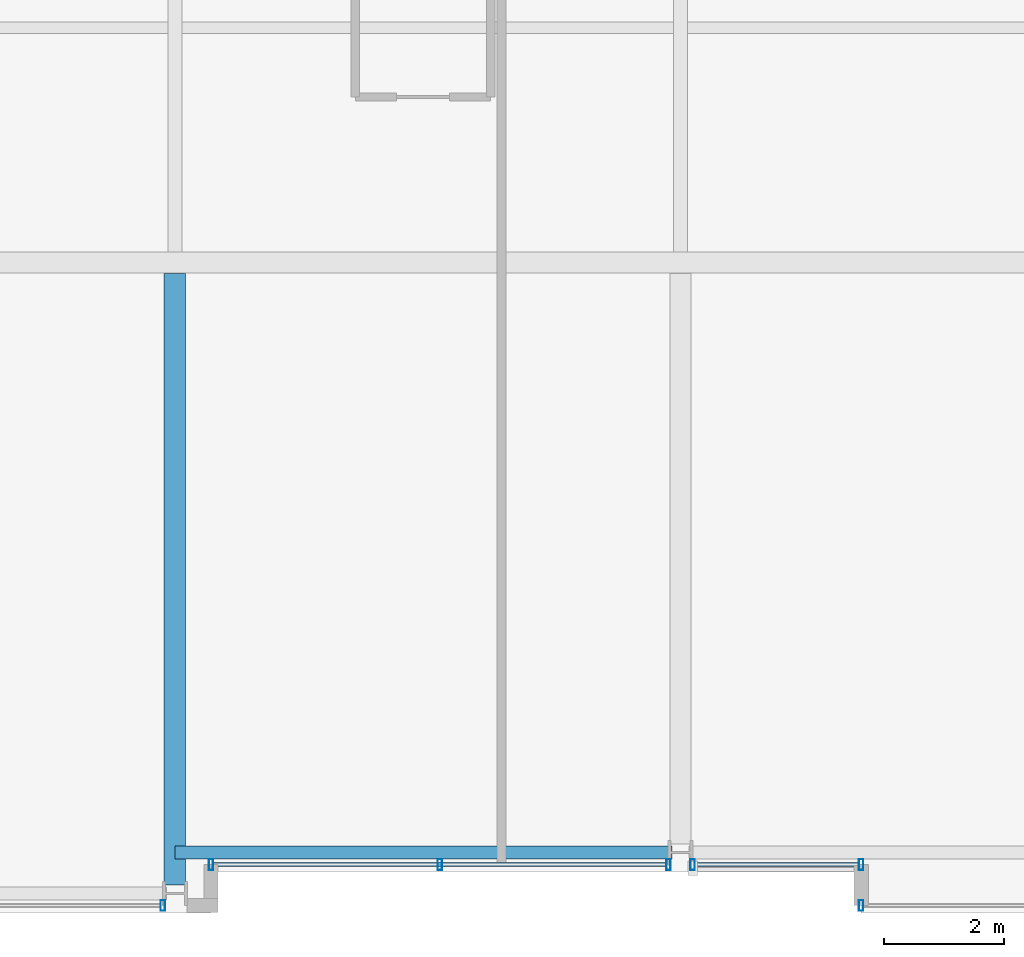
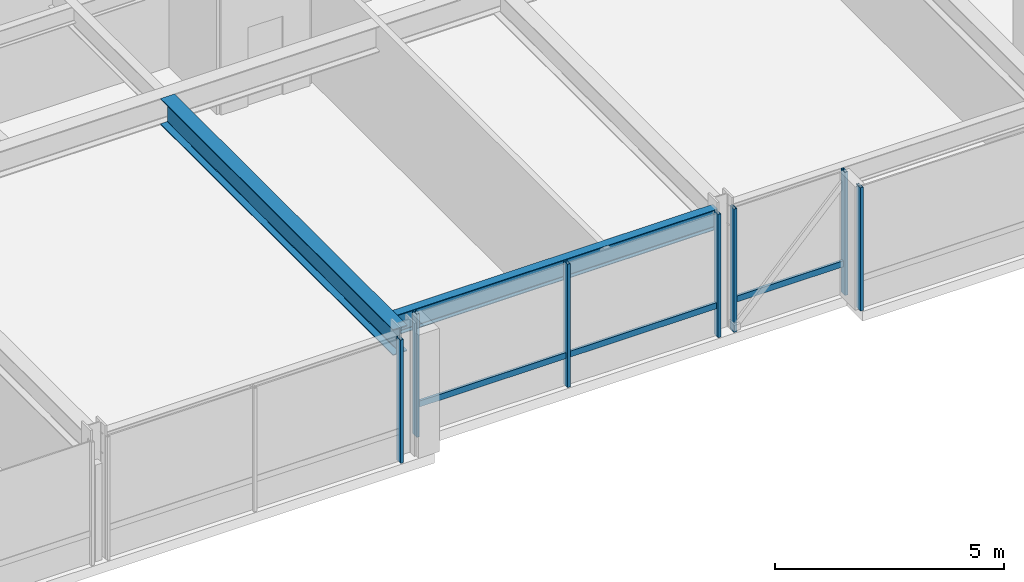
# One storey, part 5 of 33: 9 members, 2 beams, 4 elements without a shape of their own.
"""IFC4 building model written with IfcOpenShell, lengths in metres."""

from ifc_helpers import new_model, si_unit, direction, frame, origin, origin_2d, place, context, subcontext, project, spatial, hollow_rectangle, i_section, extrude, material, layer, layer_set, material_profile, profile_set, type_object, element, aggregate, save


model = new_model("IFC4")

# Units and contexts
model_context = context("Model", 3, precision=1e-05, world=origin(), true_north=direction((0.0, 1.0)))
body_context = subcontext(model_context, "Body", "Model", "MODEL_VIEW")
ifc_project = project(units=[si_unit("LENGTHUNIT", "METRE"), si_unit("AREAUNIT", "SQUARE_METRE"), si_unit("VOLUMEUNIT", "CUBIC_METRE"), si_unit("PLANEANGLEUNIT", "RADIAN"), si_unit("MASSUNIT", "GRAM", prefix="KILO")], contexts=[model_context])

# Site, building, storey
site_placement = place(None, origin())
site = spatial("IfcSite", under=ifc_project, at=site_placement, CompositionType="ELEMENT")
building_placement = place(site_placement, origin())
building = spatial("IfcBuilding", under=site, at=building_placement, Name="Drelvath Grand Hotel", CompositionType="ELEMENT")
storey_placement = place(building_placement, frame((0.0, 0.0, 168.14990234375)))
storey = spatial("IfcBuildingStorey", under=building, at=storey_placement, Name="L43", CompositionType="ELEMENT", Elevation=168.14990234375)

# Curtain wall, member
ifc_material_1 = material(Name="Brushed Pale-Silver Anodised Aluminium Frame", Category="aluminium")
ifc_layer = layer(ifc_material_1, 0.199951171875)
ifc_layer_set = layer_set([ifc_layer], Name="Brushed Pale-Silver Anodised Aluminium Frame")
curtain_wall_type = type_object("IfcCurtainWallType", Name="Stick Curtain Wall CW-04 Brushed Silver Upper-Mid", PredefinedType="NOTDEFINED", material=ifc_layer_set)
curtain_wall_1_placement = place(storey_placement, origin())
curtain_wall_1 = element("IfcCurtainWall", 1, at=curtain_wall_1_placement, inside=storey, type_object=curtain_wall_type, Name="L43 CW-04 Curtain Wall CW04-L43-SM1", PredefinedType="NOTDEFINED")
ifc_material_profile_1 = material_profile(ifc_material_1, hollow_rectangle(XDim=0.06494140625, YDim=0.159912109375, WallThickness=0.00390625, at=origin_2d()), Name="HSS160X65X4")
ifc_profile_set_1 = profile_set([ifc_material_profile_1], Name="Brushed Pale-Silver Anodised Aluminium Frame")
member_type_1 = type_object("IfcMemberType", Name="Curtain Wall Horizontal Transom CW-04 HSS160X65X4", PredefinedType="USERDEFINED", material=ifc_profile_set_1)
member_1_placement = place(storey_placement, frame((-0.239990234375, 0.800048828125, 0.822509765625), z_axis=(-1.0, 0.0, 0.0), x_axis=(0.0, -1.0, 0.0)))
member_1 = element("IfcMember", 2, at=member_1_placement, type_object=member_type_1, Name="CW04-L43-SM1 Sill Transom", ObjectType="TRANSOM", PredefinedType="USERDEFINED", context=body_context, shape_type="SweptSolid", body=[
    extrude(hollow_rectangle(XDim=0.06494140625, YDim=0.159912109375, WallThickness=0.00390625, at=origin_2d()), origin(), (0.0, 0.0, 1.0), 7.52001953125),
])

curtain_wall_2_placement = place(storey_placement, origin())
curtain_wall_2 = element("IfcCurtainWall", 3, at=curtain_wall_2_placement, inside=storey, type_object=curtain_wall_type, Name="L43 CW-04 Curtain Wall CW04-L43-SM2", PredefinedType="NOTDEFINED")
member_2_placement = place(storey_placement, frame((2.9599609375, 0.800048828125, 0.822509765625), z_axis=(-1.0, 0.0, 0.0), x_axis=(0.0, -1.0, 0.0)))
member_2 = element("IfcMember", 4, at=member_2_placement, type_object=member_type_1, Name="CW04-L43-SM2 Sill Transom", ObjectType="TRANSOM", PredefinedType="USERDEFINED", context=body_context, shape_type="SweptSolid", body=[
    extrude(hollow_rectangle(XDim=0.06494140625, YDim=0.159912109375, WallThickness=0.00390625, at=origin_2d()), origin(), (0.0, 0.0, 1.0), 2.719970703125),
])

curtain_wall_3_placement = place(storey_placement, origin())
curtain_wall_3 = element("IfcCurtainWall", 5, at=curtain_wall_3_placement, inside=storey, type_object=curtain_wall_type, Name="L43 CW-04 Curtain Wall CW04-L43-SE1", PredefinedType="NOTDEFINED")
ifc_material_profile_2 = material_profile(ifc_material_1, hollow_rectangle(XDim=0.074951171875, YDim=0.179931640625, WallThickness=0.0048828125, at=origin_2d()), Name="HSS180X75X5")
ifc_profile_set_2 = profile_set([ifc_material_profile_2], Name="Brushed Pale-Silver Anodised Aluminium Frame")
member_type_2 = type_object("IfcMemberType", Name="Curtain Wall Vertical Mullion CW-04 HSS180X75X5", PredefinedType="MULLION", material=ifc_profile_set_2)
member_3_placement = place(storey_placement, frame((3.0, 0.1201171875, 0.0), z_axis=(0.0, 0.0, 1.0), x_axis=(1.0, 0.0, 0.0)))
member_3 = element("IfcMember", 6, at=member_3_placement, type_object=member_type_2, Name="CW04-L43-SE1 Mullion 2", PredefinedType="MULLION", context=body_context, shape_type="SweptSolid", body=[
    extrude(hollow_rectangle(XDim=0.074951171875, YDim=0.179931640625, WallThickness=0.0048828125, at=origin_2d()), origin(), (0.0, 0.0, 1.0), 3.2900390625),
])
aggregate(curtain_wall_3, [member_3])

# Member
member_4_placement = place(storey_placement, frame((-0.2001953125, 0.800048828125, 0.0), z_axis=(0.0, 0.0, 1.0), x_axis=(1.0, 0.0, 0.0)))
member_4 = element("IfcMember", 7, at=member_4_placement, type_object=member_type_2, Name="CW04-L43-SM1 Mullion 1", PredefinedType="MULLION", context=body_context, shape_type="SweptSolid", body=[
    extrude(hollow_rectangle(XDim=0.074951171875, YDim=0.179931640625, WallThickness=0.0048828125, at=origin_2d()), origin(), (0.0, 0.0, 1.0), 3.2900390625),
])

member_5_placement = place(storey_placement, frame((-4.0, 0.800048828125, 0.0), z_axis=(0.0, 0.0, 1.0), x_axis=(1.0, 0.0, 0.0)))
member_5 = element("IfcMember", 8, at=member_5_placement, type_object=member_type_2, Name="CW04-L43-SM1 Mullion 2", PredefinedType="MULLION", context=body_context, shape_type="SweptSolid", body=[
    extrude(hollow_rectangle(XDim=0.074951171875, YDim=0.179931640625, WallThickness=0.0048828125, at=origin_2d()), origin(), (0.0, 0.0, 1.0), 3.2900390625),
])

member_6_placement = place(storey_placement, frame((-7.800048828125, 0.800048828125, 0.0), z_axis=(0.0, 0.0, 1.0), x_axis=(1.0, 0.0, 0.0)))
member_6 = element("IfcMember", 9, at=member_6_placement, type_object=member_type_2, Name="CW04-L43-SM1 Mullion 3", PredefinedType="MULLION", context=body_context, shape_type="SweptSolid", body=[
    extrude(hollow_rectangle(XDim=0.074951171875, YDim=0.179931640625, WallThickness=0.0048828125, at=origin_2d()), origin(), (0.0, 0.0, 1.0), 3.2900390625),
])

aggregate(curtain_wall_1, [member_4, member_5, member_6, member_1])

member_7_placement = place(storey_placement, frame((3.0, 0.800048828125, 0.0), z_axis=(0.0, 0.0, 1.0), x_axis=(1.0, 0.0, 0.0)))
member_7 = element("IfcMember", 10, at=member_7_placement, type_object=member_type_2, Name="CW04-L43-SM2 Mullion 1", PredefinedType="MULLION", context=body_context, shape_type="SweptSolid", body=[
    extrude(hollow_rectangle(XDim=0.074951171875, YDim=0.179931640625, WallThickness=0.0048828125, at=origin_2d()), origin(), (0.0, 0.0, 1.0), 3.2900390625),
])

member_8_placement = place(storey_placement, frame((0.2001953125, 0.800048828125, 0.0), z_axis=(0.0, 0.0, 1.0), x_axis=(1.0, 0.0, 0.0)))
member_8 = element("IfcMember", 11, at=member_8_placement, type_object=member_type_2, Name="CW04-L43-SM2 Mullion 2", PredefinedType="MULLION", context=body_context, shape_type="SweptSolid", body=[
    extrude(hollow_rectangle(XDim=0.074951171875, YDim=0.179931640625, WallThickness=0.0048828125, at=origin_2d()), origin(), (0.0, 0.0, 1.0), 3.2900390625),
])

aggregate(curtain_wall_2, [member_7, member_8, member_2])

# Curtain wall, member
curtain_wall_4_placement = place(storey_placement, origin())
curtain_wall_4 = element("IfcCurtainWall", 12, at=curtain_wall_4_placement, inside=storey, type_object=curtain_wall_type, Name="L43 CW-04 Curtain Wall CW04-L43-SW2", PredefinedType="NOTDEFINED")
member_9_placement = place(storey_placement, frame((-8.60009765625, 0.1201171875, 0.0), z_axis=(0.0, 0.0, 1.0), x_axis=(1.0, 0.0, 0.0)))
member_9 = element("IfcMember", 13, at=member_9_placement, type_object=member_type_2, Name="CW04-L43-SW2 Mullion 1", PredefinedType="MULLION", context=body_context, shape_type="SweptSolid", body=[
    extrude(hollow_rectangle(XDim=0.074951171875, YDim=0.179931640625, WallThickness=0.0048828125, at=origin_2d()), origin(), (0.0, 0.0, 1.0), 3.2900390625),
])
aggregate(curtain_wall_4, [member_9])

# Beams
ifc_material_2 = material(Name="Steel ASTM A992 Gr 50", Category="steel")
ifc_material_profile_3 = material_profile(ifc_material_2, i_section(OverallWidth=0.210205078125, OverallDepth=0.53662109375, WebThickness=0.010986328125, FlangeThickness=0.017333984375, FilletRadius=0.01806640625, at=origin_2d()), Name="W21X68")
ifc_profile_set_3 = profile_set([ifc_material_profile_3], Name="Steel ASTM A992 Gr 50")
beam_type_1 = type_object("IfcBeamType", Name="Perimeter Spandrel Beam W21X68", PredefinedType="SPANDREL", material=ifc_profile_set_3)
beam_1_placement = place(storey_placement, frame((-8.39990234375, 1.0, 3.021728515625), z_axis=(1.0, 0.0, 0.0), x_axis=(0.0, 1.0, 0.0)))
element("IfcBeam", 14, at=beam_1_placement, inside=storey, type_object=beam_type_1, Name="L43 Spandrel South Mid W", PredefinedType="SPANDREL", context=body_context, shape_type="SweptSolid", body=[
    extrude(i_section(OverallWidth=0.210205078125, OverallDepth=0.53662109375, WebThickness=0.010986328125, FlangeThickness=0.017333984375, FilletRadius=0.01806640625, at=origin_2d()), origin(), (0.0, 0.0, 1.0), 8.260009765625),
])
ifc_material_profile_4 = material_profile(ifc_material_2, i_section(OverallWidth=0.354736328125, OverallDepth=0.695556640625, WebThickness=0.015380859375, FlangeThickness=0.025146484375, FilletRadius=0.02392578125, at=origin_2d()), Name="W27X146")
ifc_profile_set_4 = profile_set([ifc_material_profile_4], Name="Steel ASTM A992 Gr 50")
beam_type_2 = type_object("IfcBeamType", Name="Primary Floor Girder W27X146", PredefinedType="BEAM", material=ifc_profile_set_4)
beam_2_placement = place(storey_placement, frame((-8.39990234375, 0.4599609375, 2.9423828125), z_axis=(0.0, 1.0, 0.0), x_axis=(-1.0, 0.0, 0.0)))
element("IfcBeam", 15, at=beam_2_placement, inside=storey, type_object=beam_type_2, Name="L43 South Wing Girder 4", PredefinedType="BEAM", context=body_context, shape_type="SweptSolid", body=[
    extrude(i_section(OverallWidth=0.354736328125, OverallDepth=0.695556640625, WebThickness=0.015380859375, FlangeThickness=0.025146484375, FilletRadius=0.02392578125, at=origin_2d()), origin(), (0.0, 0.0, 1.0), 10.16259765625),
])

save(model, "model.ifc")
